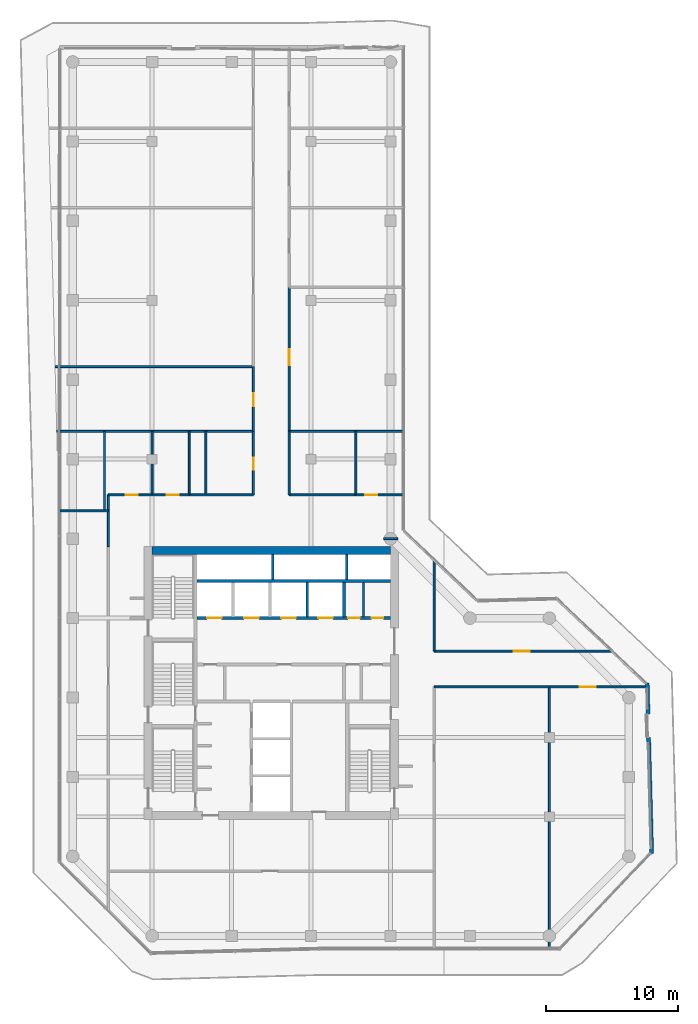
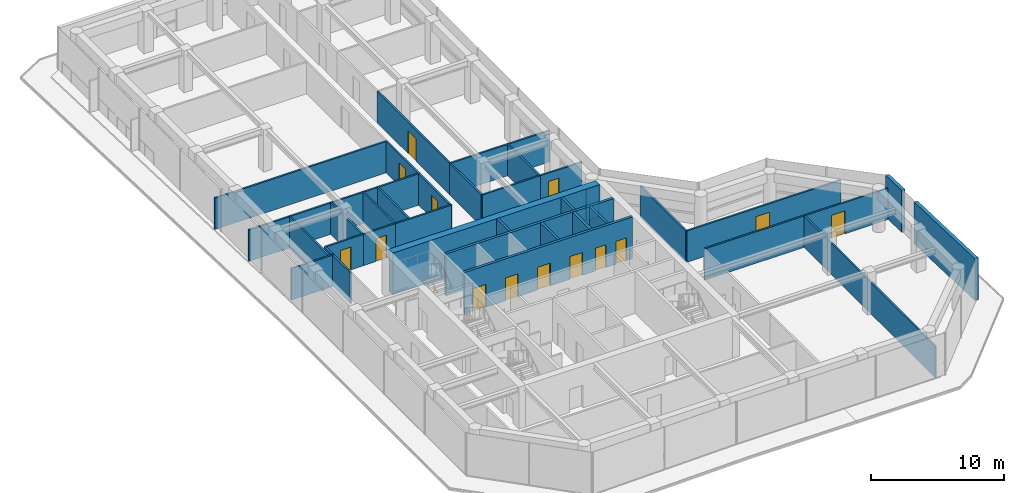
# One storey, part 17 of 20: 35 walls, 14 doors, 14 openings.
"""IFC4 building model written with IfcOpenShell, lengths in metres."""

from ifc_helpers import new_model, si_unit, direction, frame, frame_2d, origin, place, context, subcontext, project, spatial, rectangle, extrude, material, layer, layer_set, type_object, element, fill, save


model = new_model("IFC4")

# Units and contexts
model_context = context("Model", 3, precision=1e-05, world=origin(), true_north=direction((0.0, 1.0)))
body_context = subcontext(model_context, "Body", "Model", "MODEL_VIEW")
ifc_project = project(units=[si_unit("LENGTHUNIT", "METRE"), si_unit("AREAUNIT", "SQUARE_METRE"), si_unit("VOLUMEUNIT", "CUBIC_METRE"), si_unit("PLANEANGLEUNIT", "RADIAN"), si_unit("MASSUNIT", "GRAM", prefix="KILO")], contexts=[model_context])

# Site, building, storey
site_placement = place(None, origin())
site = spatial("IfcSite", under=ifc_project, at=site_placement, CompositionType="ELEMENT")
building_placement = place(site_placement, origin())
building = spatial("IfcBuilding", under=site, at=building_placement, Name="Welwitschia Terrace Campus", CompositionType="ELEMENT")
storey_placement = place(building_placement, frame((0.0, 0.0, 176.0)))
storey = spatial("IfcBuildingStorey", under=building, at=storey_placement, Name="L39", CompositionType="ELEMENT", Elevation=176.0)

# Wall
ifc_material_1 = material(Name="Concrete C32/40", Category="concrete")
ifc_layer_1 = layer(ifc_material_1, 0.175048828125)
ifc_layer_set_1 = layer_set([ifc_layer_1], Name="Concrete C32/40")
wall_type_1 = type_object("IfcWallType", Name="Core partition 175 Concrete C32/40", PredefinedType="PARTITIONING", material=ifc_layer_set_1)
wall_1_placement = place(storey_placement, frame((21.9599609375, 20.10009765625, 0.0), z_axis=(0.0, 0.0, 1.0), x_axis=(0.0, 1.0, 0.0)))
element("IfcWall", 1, at=wall_1_placement, inside=storey, type_object=wall_type_1, Name="Core partition", PredefinedType="PARTITIONING", context=body_context, shape_type="SweptSolid", body=[
    extrude(rectangle(XDim=2.599853515625, YDim=0.175048828125, at=frame_2d((1.2998046875, 0.0))), origin(), (0.0, 0.0, 1.0), 3.85009765625),
])

# Wall, openings, doors
ifc_material_2 = material(Name="Concrete C32/40", Category="concrete")
ifc_layer_2 = layer(ifc_material_2, 0.22509765625)
ifc_layer_set_2 = layer_set([ifc_layer_2], Name="Concrete C32/40")
wall_type_2 = type_object("IfcWallType", Name="Core partition 225 Concrete C32/40", PredefinedType="PARTITIONING", material=ifc_layer_set_2)
wall_2_placement = place(storey_placement, frame((24.0, 20.0, 0.0), z_axis=(0.0, 0.0, 1.0), x_axis=(-1.0, 0.0, 0.0)))
wall_2 = element("IfcWall", 2, at=wall_2_placement, inside=storey, type_object=wall_type_2, Name="Shaft wall", PredefinedType="PARTITIONING", context=body_context, shape_type="SweptSolid", body=[
    extrude(rectangle(XDim=14.60009765625, YDim=0.22509765625, at=frame_2d((7.300048828125, 0.0))), origin(), (0.0, 0.0, 1.0), 3.85009765625),
])
opening_1_placement = place(wall_2_placement, frame((12.75, 0.0, 0.0)))
opening_1 = element("IfcOpeningElement", 3, at=opening_1_placement, cuts=wall_2, Name="Opening LD", PredefinedType="OPENING", context=body_context, shape_type="SweptSolid", body=[
    extrude(rectangle(XDim=1.10009765625, YDim=2.10009765625, at=frame_2d((0.550048828125, 1.050048828125))), frame((0.0, 0.12255859375, 0.0), z_axis=(0.0, -1.0, 0.0), x_axis=(1.0, 0.0, 0.0)), (0.0, 0.0, 1.0), 0.2451171875),
])
opening_2_placement = place(wall_2_placement, frame((9.949951171875, 0.0, 0.0)))
opening_2 = element("IfcOpeningElement", 4, at=opening_2_placement, cuts=wall_2, Name="Opening LD", PredefinedType="OPENING", context=body_context, shape_type="SweptSolid", body=[
    extrude(rectangle(XDim=1.10009765625, YDim=2.10009765625, at=frame_2d((0.550048828125, 1.050048828125))), frame((0.0, 0.12255859375, 0.0), z_axis=(0.0, -1.0, 0.0), x_axis=(1.0, 0.0, 0.0)), (0.0, 0.0, 1.0), 0.2451171875),
])
opening_3_placement = place(wall_2_placement, frame((7.14990234375, 0.0, 0.0)))
opening_3 = element("IfcOpeningElement", 5, at=opening_3_placement, cuts=wall_2, Name="Opening LD", PredefinedType="OPENING", context=body_context, shape_type="SweptSolid", body=[
    extrude(rectangle(XDim=1.10009765625, YDim=2.10009765625, at=frame_2d((0.550048828125, 1.050048828125))), frame((0.0, 0.12255859375, 0.0), z_axis=(0.0, -1.0, 0.0), x_axis=(1.0, 0.0, 0.0)), (0.0, 0.0, 1.0), 0.2451171875),
])
opening_4_placement = place(wall_2_placement, frame((4.35009765625, 0.0, 0.0)))
opening_4 = element("IfcOpeningElement", 6, at=opening_4_placement, cuts=wall_2, Name="Opening LD", PredefinedType="OPENING", context=body_context, shape_type="SweptSolid", body=[
    extrude(rectangle(XDim=1.10009765625, YDim=2.10009765625, at=frame_2d((0.550048828125, 1.050048828125))), frame((0.0, 0.12255859375, 0.0), z_axis=(0.0, -1.0, 0.0), x_axis=(1.0, 0.0, 0.0)), (0.0, 0.0, 1.0), 0.2451171875),
])
opening_5_placement = place(wall_2_placement, frame((2.3076171875, 0.0, 0.0)))
opening_5 = element("IfcOpeningElement", 7, at=opening_5_placement, cuts=wall_2, Name="Opening DR09", PredefinedType="OPENING", context=body_context, shape_type="SweptSolid", body=[
    extrude(rectangle(XDim=0.89990234375, YDim=2.10009765625, at=frame_2d((0.449951171875, 1.050048828125))), frame((0.0, 0.12255859375, 0.0), z_axis=(0.0, -1.0, 0.0), x_axis=(1.0, 0.0, 0.0)), (0.0, 0.0, 1.0), 0.2451171875),
])
opening_6_placement = place(wall_2_placement, frame((0.532470703125, 0.0, 0.0)))
opening_6 = element("IfcOpeningElement", 8, at=opening_6_placement, cuts=wall_2, Name="Opening DR09", PredefinedType="OPENING", context=body_context, shape_type="SweptSolid", body=[
    extrude(rectangle(XDim=0.89990234375, YDim=2.10009765625, at=frame_2d((0.449951171875, 1.050048828125))), frame((0.0, 0.12255859375, 0.0), z_axis=(0.0, -1.0, 0.0), x_axis=(1.0, 0.0, 0.0)), (0.0, 0.0, 1.0), 0.2451171875),
])
ifc_material_3 = material(Name="Steel S275", Category="steel")
door_type_1 = type_object("IfcDoorType", Name="Core door DR09", OperationType="SINGLE_SWING_LEFT", PredefinedType="DOOR", material=ifc_material_3)
door_1_placement = place(opening_5_placement, origin())
door_1 = element("IfcDoor", 9, at=door_1_placement, inside=storey, type_object=door_type_1, Name="Door EH1-D", OperationType="SINGLE_SWING_LEFT", OverallHeight=2.10009765625, OverallWidth=0.89990234375, PredefinedType="DOOR", context=body_context, shape_type="SweptSolid", body=[
    extrude(rectangle(XDim=0.89990234375, YDim=2.10009765625, at=frame_2d((0.449951171875, 1.050048828125))), frame((0.0, 0.02490234375, 0.0), z_axis=(0.0, -1.0, 0.0), x_axis=(1.0, 0.0, 0.0)), (0.0, 0.0, 1.0), 0.050048828125),
])
fill(opening_5, door_1)
door_2_placement = place(opening_6_placement, origin())
door_2 = element("IfcDoor", 10, at=door_2_placement, inside=storey, type_object=door_type_1, Name="Door EH2-D", OperationType="SINGLE_SWING_LEFT", OverallHeight=2.10009765625, OverallWidth=0.89990234375, PredefinedType="DOOR", context=body_context, shape_type="SweptSolid", body=[
    extrude(rectangle(XDim=0.89990234375, YDim=2.10009765625, at=frame_2d((0.449951171875, 1.050048828125))), frame((0.0, 0.02490234375, 0.0), z_axis=(0.0, -1.0, 0.0), x_axis=(1.0, 0.0, 0.0)), (0.0, 0.0, 1.0), 0.050048828125),
])
fill(opening_6, door_2)
ifc_material_4 = material(Name="Stainless steel 304", Category="steel")
door_type_2 = type_object("IfcDoorType", Name="Lift landing door", OperationType="DOUBLE_DOOR_SLIDING", PredefinedType="DOOR", material=ifc_material_4)
door_3_placement = place(opening_1_placement, origin())
door_3 = element("IfcDoor", 11, at=door_3_placement, inside=storey, type_object=door_type_2, Name="Landing door HR1", OperationType="DOUBLE_DOOR_SLIDING", OverallHeight=2.10009765625, OverallWidth=1.10009765625, PredefinedType="DOOR", context=body_context, shape_type="SweptSolid", body=[
    extrude(rectangle(XDim=1.10009765625, YDim=2.10009765625, at=frame_2d((0.550048828125, 1.050048828125))), frame((0.0, 0.02490234375, 0.0), z_axis=(0.0, -1.0, 0.0), x_axis=(1.0, 0.0, 0.0)), (0.0, 0.0, 1.0), 0.050048828125),
])
fill(opening_1, door_3)
door_4_placement = place(opening_2_placement, origin())
door_4 = element("IfcDoor", 12, at=door_4_placement, inside=storey, type_object=door_type_2, Name="Landing door HR2", OperationType="DOUBLE_DOOR_SLIDING", OverallHeight=2.10009765625, OverallWidth=1.10009765625, PredefinedType="DOOR", context=body_context, shape_type="SweptSolid", body=[
    extrude(rectangle(XDim=1.10009765625, YDim=2.10009765625, at=frame_2d((0.550048828125, 1.050048828125))), frame((0.0, 0.02490234375, 0.0), z_axis=(0.0, -1.0, 0.0), x_axis=(1.0, 0.0, 0.0)), (0.0, 0.0, 1.0), 0.050048828125),
])
fill(opening_2, door_4)
door_5_placement = place(opening_3_placement, origin())
door_5 = element("IfcDoor", 13, at=door_5_placement, inside=storey, type_object=door_type_2, Name="Landing door HR3", OperationType="DOUBLE_DOOR_SLIDING", OverallHeight=2.10009765625, OverallWidth=1.10009765625, PredefinedType="DOOR", context=body_context, shape_type="SweptSolid", body=[
    extrude(rectangle(XDim=1.10009765625, YDim=2.10009765625, at=frame_2d((0.550048828125, 1.050048828125))), frame((0.0, 0.02490234375, 0.0), z_axis=(0.0, -1.0, 0.0), x_axis=(1.0, 0.0, 0.0)), (0.0, 0.0, 1.0), 0.050048828125),
])
fill(opening_3, door_5)
door_6_placement = place(opening_4_placement, origin())
door_6 = element("IfcDoor", 14, at=door_6_placement, inside=storey, type_object=door_type_2, Name="Landing door HR4", OperationType="DOUBLE_DOOR_SLIDING", OverallHeight=2.10009765625, OverallWidth=1.10009765625, PredefinedType="DOOR", context=body_context, shape_type="SweptSolid", body=[
    extrude(rectangle(XDim=1.10009765625, YDim=2.10009765625, at=frame_2d((0.550048828125, 1.050048828125))), frame((0.0, 0.02490234375, 0.0), z_axis=(0.0, -1.0, 0.0), x_axis=(1.0, 0.0, 0.0)), (0.0, 0.0, 1.0), 0.050048828125),
])
fill(opening_4, door_6)

# Walls
wall_3_placement = place(storey_placement, frame((9.39990234375, 22.800048828125, 0.0), z_axis=(0.0, 0.0, 1.0), x_axis=(1.0, 0.0, 0.0)))
element("IfcWall", 15, at=wall_3_placement, inside=storey, type_object=wall_type_2, Name="Shaft wall", PredefinedType="PARTITIONING", context=body_context, shape_type="SweptSolid", body=[
    extrude(rectangle(XDim=14.60009765625, YDim=0.22509765625, at=frame_2d((7.300048828125, 0.0))), origin(), (0.0, 0.0, 1.0), 3.85009765625),
])
wall_4_placement = place(storey_placement, frame((20.5, 20.10009765625, 0.0), z_axis=(0.0, 0.0, 1.0), x_axis=(0.0, 1.0, 0.0)))
element("IfcWall", 16, at=wall_4_placement, inside=storey, type_object=wall_type_2, Name="Shaft wall", PredefinedType="PARTITIONING", context=body_context, shape_type="SweptSolid", body=[
    extrude(rectangle(XDim=2.599853515625, YDim=0.22509765625, at=frame_2d((1.2998046875, 0.0))), origin(), (0.0, 0.0, 1.0), 3.85009765625),
])
ifc_material_5 = material(Name="Concrete C50/60", Category="concrete")
ifc_layer_3 = layer(ifc_material_5, 0.199951171875)
ifc_layer_set_3 = layer_set([ifc_layer_3], Name="Concrete C50/60")
wall_type_3 = type_object("IfcWallType", Name="Core wall 200 Concrete C50/60", PredefinedType="SHEAR", material=ifc_layer_set_3)
for number, where, z_axis, x_axis, name in (
    (17, (15.10009765625, 22.89990234375, 0.0), (0.0, 0.0, 1.0), (0.0, 1.0, 0.0), "Core wall"),
    (18, (20.699951171875, 22.89990234375, 0.0), (0.0, 0.0, 1.0), (0.0, 1.0, 0.0), "Core wall"),
):
    element("IfcWall", number, at=place(storey_placement, frame(where, z_axis=z_axis, x_axis=x_axis)), inside=storey, type_object=wall_type_3, Name=name, PredefinedType="SHEAR", context=body_context, shape_type="SweptSolid", body=[
        extrude(rectangle(XDim=1.900146484375, YDim=0.199951171875, at=frame_2d((0.9501953125, 0.0))), origin(), (0.0, 0.0, 1.0), 3.85009765625),
    ])
ifc_material_6 = material(Name="Concrete C60/75", Category="concrete")
ifc_layer_4 = layer(ifc_material_6, 0.60009765625)
ifc_layer_set_4 = layer_set([ifc_layer_4], Name="Concrete C60/75")
wall_type_4 = type_object("IfcWallType", Name="Core wall 600 Concrete C60/75", PredefinedType="SHEAR", material=ifc_layer_set_4)
wall_5_placement = place(storey_placement, frame((6.0, 25.10009765625, 0.0), z_axis=(0.0, 0.0, 1.0), x_axis=(1.0, 0.0, 0.0)))
element("IfcWall", 19, at=wall_5_placement, inside=storey, type_object=wall_type_4, Name="Core outer wall", PredefinedType="SHEAR", context=body_context, shape_type="SweptSolid", body=[
    extrude(rectangle(XDim=18.0, YDim=0.60009765625, at=frame_2d((9.0, 0.0))), origin(), (0.0, 0.0, 1.0), 3.85009765625),
])
ifc_material_7 = material(Name="Gypsum board on steel studs", Category="steel")
ifc_layer_5 = layer(ifc_material_7, 0.14990234375)
ifc_layer_set_5 = layer_set([ifc_layer_5], Name="Gypsum board on steel studs")
wall_type_5 = type_object("IfcWallType", Name="Corridor partition 150 EI 30", PredefinedType="PARTITIONING", material=ifc_layer_set_5)
wall_6_placement = place(storey_placement, frame((-1.320068359375, 39.0, 0.0), z_axis=(0.0, 0.0, 1.0), x_axis=(1.0, 0.0, 0.0)))
element("IfcWall", 20, at=wall_6_placement, inside=storey, type_object=wall_type_5, Name="Partition", PredefinedType="PARTITIONING", context=body_context, shape_type="SweptSolid", body=[
    extrude(rectangle(XDim=14.969970703125, YDim=0.14990234375, at=frame_2d((7.48486328125, 0.0))), origin(), (0.0, 0.0, 1.0), 2.8798828125),
])
wall_7_placement = place(storey_placement, frame((-1.18994140625, 34.10009765625, 0.0), z_axis=(0.0, 0.0, 1.0), x_axis=(1.0, 0.0, 0.0)))
element("IfcWall", 21, at=wall_7_placement, inside=storey, type_object=wall_type_5, Name="Partition", PredefinedType="PARTITIONING", context=body_context, shape_type="SweptSolid", body=[
    extrude(rectangle(XDim=14.83984375, YDim=0.14990234375, at=frame_2d((7.419921875, 0.0))), origin(), (0.0, 0.0, 1.0), 2.8798828125),
])
wall_8_placement = place(storey_placement, frame((-0.96875, 28.10009765625, 0.0), z_axis=(0.0, 0.0, 1.0), x_axis=(1.0, 0.0, 0.0)))
element("IfcWall", 22, at=wall_8_placement, inside=storey, type_object=wall_type_5, Name="Partition", PredefinedType="PARTITIONING", context=body_context, shape_type="SweptSolid", body=[
    extrude(rectangle(XDim=3.668701171875, YDim=0.14990234375, at=frame_2d((1.83447265625, 0.0))), origin(), (0.0, 0.0, 1.0), 2.8798828125),
])
wall_9_placement = place(storey_placement, frame((2.39990234375, 28.10009765625, 0.0), z_axis=(0.0, 0.0, 1.0), x_axis=(0.0, 1.0, 0.0)))
element("IfcWall", 23, at=wall_9_placement, inside=storey, type_object=wall_type_5, Name="Partition", PredefinedType="PARTITIONING", context=body_context, shape_type="SweptSolid", body=[
    extrude(rectangle(XDim=6.0, YDim=0.14990234375, at=frame_2d((3.0, 0.0))), origin(), (0.0, 0.0, 1.0), 2.8798828125),
])
wall_10_placement = place(storey_placement, frame((2.699951171875, 25.39990234375, 0.0), z_axis=(0.0, 0.0, 1.0), x_axis=(0.0, 1.0, 0.0)))
element("IfcWall", 24, at=wall_10_placement, inside=storey, type_object=wall_type_5, Name="Partition", PredefinedType="PARTITIONING", context=body_context, shape_type="SweptSolid", body=[
    extrude(rectangle(XDim=3.900146484375, YDim=0.14990234375, at=frame_2d((1.9501953125, 0.0))), origin(), (0.0, 0.0, 1.0), 2.8798828125),
])

# Wall, opening, door
wall_11_placement = place(storey_placement, frame((2.699951171875, 29.300048828125, 0.0), z_axis=(0.0, 0.0, 1.0), x_axis=(1.0, 0.0, 0.0)))
wall_11 = element("IfcWall", 25, at=wall_11_placement, inside=storey, type_object=wall_type_5, Name="Partition", PredefinedType="PARTITIONING", context=body_context, shape_type="SweptSolid", body=[
    extrude(rectangle(XDim=3.300048828125, YDim=0.14990234375, at=frame_2d((1.64990234375, 0.0))), origin(), (0.0, 0.0, 1.0), 2.8798828125),
])
opening_7_placement = place(wall_11_placement, frame((1.300048828125, 0.0, 0.0)))
opening_7 = element("IfcOpeningElement", 26, at=opening_7_placement, cuts=wall_11, Name="Opening DI09", PredefinedType="OPENING", context=body_context, shape_type="SweptSolid", body=[
    extrude(rectangle(XDim=0.89990234375, YDim=2.10009765625, at=frame_2d((0.449951171875, 1.050048828125))), frame((0.0, 0.0849609375, 0.0), z_axis=(0.0, -1.0, 0.0), x_axis=(1.0, 0.0, 0.0)), (0.0, 0.0, 1.0), 0.169921875),
])
ifc_material_8 = material(Name="Timber veneered door", Category="wood")
door_type_3 = type_object("IfcDoorType", Name="Interior door DI09", OperationType="NOTDEFINED", PredefinedType="DOOR", material=ifc_material_8)
door_7_placement = place(opening_7_placement, origin())
door_7 = element("IfcDoor", 27, at=door_7_placement, inside=storey, type_object=door_type_3, Name="Door L39 776", OperationType="SINGLE_SWING_LEFT", OverallHeight=2.10009765625, OverallWidth=0.89990234375, PredefinedType="DOOR", context=body_context, shape_type="SweptSolid", body=[
    extrude(rectangle(XDim=0.89990234375, YDim=2.10009765625, at=frame_2d((0.449951171875, 1.050048828125))), frame((0.0, 0.02490234375, 0.0), z_axis=(0.0, -1.0, 0.0), x_axis=(1.0, 0.0, 0.0)), (0.0, 0.0, 1.0), 0.050048828125),
])
fill(opening_7, door_7)

# Wall
wall_12_placement = place(storey_placement, frame((6.0, 29.300048828125, 0.0), z_axis=(0.0, 0.0, 1.0), x_axis=(0.0, 1.0, 0.0)))
element("IfcWall", 28, at=wall_12_placement, inside=storey, type_object=wall_type_5, Name="Partition", PredefinedType="PARTITIONING", context=body_context, shape_type="SweptSolid", body=[
    extrude(rectangle(XDim=4.800048828125, YDim=0.14990234375, at=frame_2d((2.39990234375, 0.0))), origin(), (0.0, 0.0, 1.0), 2.8798828125),
])

# Wall, opening, door
wall_13_placement = place(storey_placement, frame((6.0, 29.300048828125, 0.0), z_axis=(0.0, 0.0, 1.0), x_axis=(1.0, 0.0, 0.0)))
wall_13 = element("IfcWall", 29, at=wall_13_placement, inside=storey, type_object=wall_type_5, Name="Partition", PredefinedType="PARTITIONING", context=body_context, shape_type="SweptSolid", body=[
    extrude(rectangle(XDim=2.800048828125, YDim=0.14990234375, at=frame_2d((1.39990234375, 0.0))), origin(), (0.0, 0.0, 1.0), 2.8798828125),
])
opening_8_placement = place(wall_13_placement, frame((1.10009765625, 0.0, 0.0)))
opening_8 = element("IfcOpeningElement", 30, at=opening_8_placement, cuts=wall_13, Name="Opening DI09", PredefinedType="OPENING", context=body_context, shape_type="SweptSolid", body=[
    extrude(rectangle(XDim=0.89990234375, YDim=2.10009765625, at=frame_2d((0.449951171875, 1.050048828125))), frame((0.0, 0.0849609375, 0.0), z_axis=(0.0, -1.0, 0.0), x_axis=(1.0, 0.0, 0.0)), (0.0, 0.0, 1.0), 0.169921875),
])
door_8_placement = place(opening_8_placement, origin())
door_8 = element("IfcDoor", 31, at=door_8_placement, inside=storey, type_object=door_type_3, Name="Door L39 777", OperationType="SINGLE_SWING_RIGHT", OverallHeight=2.10009765625, OverallWidth=0.89990234375, PredefinedType="DOOR", context=body_context, shape_type="SweptSolid", body=[
    extrude(rectangle(XDim=0.89990234375, YDim=2.10009765625, at=frame_2d((0.449951171875, 1.050048828125))), frame((0.0, 0.02490234375, 0.0), z_axis=(0.0, -1.0, 0.0), x_axis=(1.0, 0.0, 0.0)), (0.0, 0.0, 1.0), 0.050048828125),
])
fill(opening_8, door_8)

# Walls
wall_14_placement = place(storey_placement, frame((8.800048828125, 29.300048828125, 0.0), z_axis=(0.0, 0.0, 1.0), x_axis=(0.0, 1.0, 0.0)))
element("IfcWall", 32, at=wall_14_placement, inside=storey, type_object=wall_type_5, Name="Partition", PredefinedType="PARTITIONING", context=body_context, shape_type="SweptSolid", body=[
    extrude(rectangle(XDim=4.800048828125, YDim=0.14990234375, at=frame_2d((2.39990234375, 0.0))), origin(), (0.0, 0.0, 1.0), 2.8798828125),
])
wall_15_placement = place(storey_placement, frame((8.800048828125, 29.300048828125, 0.0), z_axis=(0.0, 0.0, 1.0), x_axis=(1.0, 0.0, 0.0)))
element("IfcWall", 33, at=wall_15_placement, inside=storey, type_object=wall_type_5, Name="Partition", PredefinedType="PARTITIONING", context=body_context, shape_type="SweptSolid", body=[
    extrude(rectangle(XDim=4.849853515625, YDim=0.14990234375, at=frame_2d((2.4248046875, 0.0))), origin(), (0.0, 0.0, 1.0), 2.8798828125),
])
wall_16_placement = place(storey_placement, frame((10.050048828125, 29.300048828125, 0.0), z_axis=(0.0, 0.0, 1.0), x_axis=(0.0, 1.0, 0.0)))
element("IfcWall", 34, at=wall_16_placement, inside=storey, type_object=wall_type_5, Name="Partition", PredefinedType="PARTITIONING", context=body_context, shape_type="SweptSolid", body=[
    extrude(rectangle(XDim=4.800048828125, YDim=0.14990234375, at=frame_2d((2.39990234375, 0.0))), origin(), (0.0, 0.0, 1.0), 2.8798828125),
])

# Wall, opening, door
wall_17_placement = place(storey_placement, frame((13.64990234375, 29.300048828125, 0.0), z_axis=(0.0, 0.0, 1.0), x_axis=(0.0, 1.0, 0.0)))
wall_17 = element("IfcWall", 35, at=wall_17_placement, inside=storey, type_object=wall_type_5, Name="Partition", PredefinedType="PARTITIONING", context=body_context, shape_type="SweptSolid", body=[
    extrude(rectangle(XDim=4.800048828125, YDim=0.14990234375, at=frame_2d((2.39990234375, 0.0))), origin(), (0.0, 0.0, 1.0), 2.8798828125),
])
opening_9_placement = place(wall_17_placement, frame((1.89990234375, 0.0, 0.0)))
opening_9 = element("IfcOpeningElement", 36, at=opening_9_placement, cuts=wall_17, Name="Opening DI09", PredefinedType="OPENING", context=body_context, shape_type="SweptSolid", body=[
    extrude(rectangle(XDim=0.89990234375, YDim=2.10009765625, at=frame_2d((0.449951171875, 1.050048828125))), frame((0.0, 0.0849609375, 0.0), z_axis=(0.0, -1.0, 0.0), x_axis=(1.0, 0.0, 0.0)), (0.0, 0.0, 1.0), 0.169921875),
])
door_9_placement = place(opening_9_placement, origin())
door_9 = element("IfcDoor", 37, at=door_9_placement, inside=storey, type_object=door_type_3, Name="Door L39 778", OperationType="SINGLE_SWING_LEFT", OverallHeight=2.10009765625, OverallWidth=0.89990234375, PredefinedType="DOOR", context=body_context, shape_type="SweptSolid", body=[
    extrude(rectangle(XDim=0.89990234375, YDim=2.10009765625, at=frame_2d((0.449951171875, 1.050048828125))), frame((0.0, 0.02490234375, 0.0), z_axis=(0.0, -1.0, 0.0), x_axis=(1.0, 0.0, 0.0)), (0.0, 0.0, 1.0), 0.050048828125),
])
fill(opening_9, door_9)

wall_18_placement = place(storey_placement, frame((13.64990234375, 34.10009765625, 0.0), z_axis=(0.0, 0.0, 1.0), x_axis=(0.0, 1.0, 0.0)))
wall_18 = element("IfcWall", 38, at=wall_18_placement, inside=storey, type_object=wall_type_5, Name="Partition", PredefinedType="PARTITIONING", context=body_context, shape_type="SweptSolid", body=[
    extrude(rectangle(XDim=4.89990234375, YDim=0.14990234375, at=frame_2d((2.449951171875, 0.0))), origin(), (0.0, 0.0, 1.0), 2.8798828125),
])
opening_10_placement = place(wall_18_placement, frame((1.89990234375, 0.0, 0.0)))
opening_10 = element("IfcOpeningElement", 39, at=opening_10_placement, cuts=wall_18, Name="Opening DI10", PredefinedType="OPENING", context=body_context, shape_type="SweptSolid", body=[
    extrude(rectangle(XDim=1.0, YDim=2.10009765625, at=frame_2d((0.5, 1.050048828125))), frame((0.0, 0.0849609375, 0.0), z_axis=(0.0, -1.0, 0.0), x_axis=(1.0, 0.0, 0.0)), (0.0, 0.0, 1.0), 0.169921875),
])
ifc_material_9 = material(Name="Timber veneered door", Category="wood")
door_type_4 = type_object("IfcDoorType", Name="Interior door DI10", OperationType="NOTDEFINED", PredefinedType="DOOR", material=ifc_material_9)
door_10_placement = place(opening_10_placement, origin())
door_10 = element("IfcDoor", 40, at=door_10_placement, inside=storey, type_object=door_type_4, Name="Door L39 779", OperationType="SINGLE_SWING_RIGHT", OverallHeight=2.10009765625, OverallWidth=1.0, PredefinedType="DOOR", context=body_context, shape_type="SweptSolid", body=[
    extrude(rectangle(XDim=1.0, YDim=2.10009765625, at=frame_2d((0.5, 1.050048828125))), frame((0.0, 0.02490234375, 0.0), z_axis=(0.0, -1.0, 0.0), x_axis=(1.0, 0.0, 0.0)), (0.0, 0.0, 1.0), 0.050048828125),
])
fill(opening_10, door_10)

# Walls
wall_19_placement = place(storey_placement, frame((16.35009765625, 29.300048828125, 0.0), z_axis=(0.0, 0.0, 1.0), x_axis=(0.0, 1.0, 0.0)))
element("IfcWall", 41, at=wall_19_placement, inside=storey, type_object=wall_type_5, Name="Partition", PredefinedType="PARTITIONING", context=body_context, shape_type="SweptSolid", body=[
    extrude(rectangle(XDim=4.800048828125, YDim=0.14990234375, at=frame_2d((2.39990234375, 0.0))), origin(), (0.0, 0.0, 1.0), 2.8798828125),
])
wall_20_placement = place(storey_placement, frame((16.35009765625, 29.300048828125, 0.0), z_axis=(0.0, 0.0, 1.0), x_axis=(1.0, 0.0, 0.0)))
element("IfcWall", 42, at=wall_20_placement, inside=storey, type_object=wall_type_5, Name="Partition", PredefinedType="PARTITIONING", context=body_context, shape_type="SweptSolid", body=[
    extrude(rectangle(XDim=5.02978515625, YDim=0.14990234375, at=frame_2d((2.514892578125, 0.0))), origin(), (0.0, 0.0, 1.0), 2.8798828125),
])

# Wall, opening, door
wall_21_placement = place(storey_placement, frame((16.35009765625, 34.10009765625, 0.0), z_axis=(0.0, 0.0, 1.0), x_axis=(0.0, 1.0, 0.0)))
wall_21 = element("IfcWall", 43, at=wall_21_placement, inside=storey, type_object=wall_type_5, Name="Partition", PredefinedType="PARTITIONING", context=body_context, shape_type="SweptSolid", body=[
    extrude(rectangle(XDim=10.89990234375, YDim=0.14990234375, at=frame_2d((5.449951171875, 0.0))), origin(), (0.0, 0.0, 1.0), 2.8798828125),
])
opening_11_placement = place(wall_21_placement, frame((5.0, 0.0, 0.0)))
opening_11 = element("IfcOpeningElement", 44, at=opening_11_placement, cuts=wall_21, Name="Opening DI12", PredefinedType="OPENING", context=body_context, shape_type="SweptSolid", body=[
    extrude(rectangle(XDim=1.199951171875, YDim=2.10009765625, at=frame_2d((0.60009765625, 1.050048828125))), frame((0.0, 0.0849609375, 0.0), z_axis=(0.0, -1.0, 0.0), x_axis=(1.0, 0.0, 0.0)), (0.0, 0.0, 1.0), 0.169921875),
])
ifc_material_10 = material(Name="Timber veneered door", Category="wood")
door_type_5 = type_object("IfcDoorType", Name="Interior door DI12", OperationType="NOTDEFINED", PredefinedType="DOOR", material=ifc_material_10)
door_11_placement = place(opening_11_placement, origin())
door_11 = element("IfcDoor", 45, at=door_11_placement, inside=storey, type_object=door_type_5, Name="Door L39 783", OperationType="SINGLE_SWING_RIGHT", OverallHeight=2.10009765625, OverallWidth=1.199951171875, PredefinedType="DOOR", context=body_context, shape_type="SweptSolid", body=[
    extrude(rectangle(XDim=1.199951171875, YDim=2.10009765625, at=frame_2d((0.60009765625, 1.050048828125))), frame((0.0, 0.02490234375, 0.0), z_axis=(0.0, -1.0, 0.0), x_axis=(1.0, 0.0, 0.0)), (0.0, 0.0, 1.0), 0.050048828125),
])
fill(opening_11, door_11)

# Walls
wall_22_placement = place(storey_placement, frame((16.35009765625, 34.10009765625, 0.0), z_axis=(0.0, 0.0, 1.0), x_axis=(1.0, 0.0, 0.0)))
element("IfcWall", 46, at=wall_22_placement, inside=storey, type_object=wall_type_5, Name="Partition", PredefinedType="PARTITIONING", context=body_context, shape_type="SweptSolid", body=[
    extrude(rectangle(XDim=8.6298828125, YDim=0.14990234375, at=frame_2d((4.31494140625, 0.0))), origin(), (0.0, 0.0, 1.0), 2.8798828125),
])
wall_23_placement = place(storey_placement, frame((21.3798828125, 29.300048828125, 0.0), z_axis=(0.0, 0.0, 1.0), x_axis=(0.0, 1.0, 0.0)))
element("IfcWall", 47, at=wall_23_placement, inside=storey, type_object=wall_type_5, Name="Partition", PredefinedType="PARTITIONING", context=body_context, shape_type="SweptSolid", body=[
    extrude(rectangle(XDim=4.800048828125, YDim=0.14990234375, at=frame_2d((2.39990234375, 0.0))), origin(), (0.0, 0.0, 1.0), 2.8798828125),
])

# Wall, opening, door
wall_24_placement = place(storey_placement, frame((21.3798828125, 29.300048828125, 0.0), z_axis=(0.0, 0.0, 1.0), x_axis=(1.0, 0.0, 0.0)))
wall_24 = element("IfcWall", 48, at=wall_24_placement, inside=storey, type_object=wall_type_5, Name="Partition", PredefinedType="PARTITIONING", context=body_context, shape_type="SweptSolid", body=[
    extrude(rectangle(XDim=3.60009765625, YDim=0.14990234375, at=frame_2d((1.800048828125, 0.0))), origin(), (0.0, 0.0, 1.0), 2.8798828125),
])
opening_12_placement = place(wall_24_placement, frame((0.699951171875, 0.0, 0.0)))
opening_12 = element("IfcOpeningElement", 49, at=opening_12_placement, cuts=wall_24, Name="Opening DI09", PredefinedType="OPENING", context=body_context, shape_type="SweptSolid", body=[
    extrude(rectangle(XDim=0.89990234375, YDim=2.10009765625, at=frame_2d((0.449951171875, 1.050048828125))), frame((0.0, 0.0849609375, 0.0), z_axis=(0.0, -1.0, 0.0), x_axis=(1.0, 0.0, 0.0)), (0.0, 0.0, 1.0), 0.169921875),
])
door_12_placement = place(opening_12_placement, origin())
door_12 = element("IfcDoor", 50, at=door_12_placement, inside=storey, type_object=door_type_3, Name="Door L39 787", OperationType="SINGLE_SWING_RIGHT", OverallHeight=2.10009765625, OverallWidth=0.89990234375, PredefinedType="DOOR", context=body_context, shape_type="SweptSolid", body=[
    extrude(rectangle(XDim=0.89990234375, YDim=2.10009765625, at=frame_2d((0.449951171875, 1.050048828125))), frame((0.0, 0.02490234375, 0.0), z_axis=(0.0, -1.0, 0.0), x_axis=(1.0, 0.0, 0.0)), (0.0, 0.0, 1.0), 0.050048828125),
])
fill(opening_12, door_12)

# Walls
wall_25_placement = place(storey_placement, frame((23.47998046875, 26.0, 0.0), z_axis=(0.0, 0.0, 1.0), x_axis=(1.0, 0.0, 0.0)))
element("IfcWall", 51, at=wall_25_placement, inside=storey, type_object=wall_type_5, Name="Partition", PredefinedType="PARTITIONING", context=body_context, shape_type="SweptSolid", body=[
    extrude(rectangle(XDim=1.050048828125, YDim=0.14990234375, at=frame_2d((0.52490234375, 0.0))), origin(), (0.0, 0.0, 1.0), 2.8798828125),
])
wall_26_placement = place(storey_placement, frame((27.300048828125, 14.800048828125, 0.0), z_axis=(0.0, 0.0, 1.0), x_axis=(1.0, 0.0, 0.0)))
element("IfcWall", 52, at=wall_26_placement, inside=storey, type_object=wall_type_5, Name="Partition", PredefinedType="PARTITIONING", context=body_context, shape_type="SweptSolid", body=[
    extrude(rectangle(XDim=8.699951171875, YDim=0.14990234375, at=frame_2d((4.35009765625, 0.0))), origin(), (0.0, 0.0, 1.0), 2.8798828125),
])
wall_27_placement = place(storey_placement, frame((27.300048828125, 17.5, 0.0), z_axis=(0.0, 0.0, 1.0), x_axis=(0.0, 1.0, 0.0)))
element("IfcWall", 53, at=wall_27_placement, inside=storey, type_object=wall_type_5, Name="Partition", PredefinedType="PARTITIONING", context=body_context, shape_type="SweptSolid", body=[
    extrude(rectangle(XDim=6.8798828125, YDim=0.14990234375, at=frame_2d((3.43994140625, 0.0))), origin(), (0.0, 0.0, 1.0), 2.8798828125),
])
wall_28_placement = place(storey_placement, frame((36.0, -4.97998046875, 0.0), z_axis=(0.0, 0.0, 1.0), x_axis=(0.0, 1.0, 0.0)))
element("IfcWall", 54, at=wall_28_placement, inside=storey, type_object=wall_type_5, Name="Partition", PredefinedType="PARTITIONING", context=body_context, shape_type="SweptSolid", body=[
    extrude(rectangle(XDim=19.780029296875, YDim=0.14990234375, at=frame_2d((9.89013671875, 0.0))), origin(), (0.0, 0.0, 1.0), 2.8798828125),
])

# Wall, opening, door
wall_29_placement = place(storey_placement, frame((36.0, 14.800048828125, 0.0), z_axis=(0.0, 0.0, 1.0), x_axis=(1.0, 0.0, 0.0)))
wall_29 = element("IfcWall", 55, at=wall_29_placement, inside=storey, type_object=wall_type_5, Name="Partition", PredefinedType="PARTITIONING", context=body_context, shape_type="SweptSolid", body=[
    extrude(rectangle(XDim=7.403564453125, YDim=0.14990234375, at=frame_2d((3.70166015625, 0.0))), origin(), (0.0, 0.0, 1.0), 2.8798828125),
])
opening_13_placement = place(wall_29_placement, frame((2.300048828125, 0.0, 0.0)))
opening_13 = element("IfcOpeningElement", 56, at=opening_13_placement, cuts=wall_29, Name="Opening DI12", PredefinedType="OPENING", context=body_context, shape_type="SweptSolid", body=[
    extrude(rectangle(XDim=1.199951171875, YDim=2.10009765625, at=frame_2d((0.60009765625, 1.050048828125))), frame((0.0, 0.0849609375, 0.0), z_axis=(0.0, -1.0, 0.0), x_axis=(1.0, 0.0, 0.0)), (0.0, 0.0, 1.0), 0.169921875),
])
door_13_placement = place(opening_13_placement, origin())
door_13 = element("IfcDoor", 57, at=door_13_placement, inside=storey, type_object=door_type_5, Name="Door L39 790", OperationType="SINGLE_SWING_LEFT", OverallHeight=2.10009765625, OverallWidth=1.199951171875, PredefinedType="DOOR", context=body_context, shape_type="SweptSolid", body=[
    extrude(rectangle(XDim=1.199951171875, YDim=2.10009765625, at=frame_2d((0.60009765625, 1.050048828125))), frame((0.0, 0.02490234375, 0.0), z_axis=(0.0, -1.0, 0.0), x_axis=(1.0, 0.0, 0.0)), (0.0, 0.0, 1.0), 0.050048828125),
])
fill(opening_13, door_13)

wall_30_placement = place(storey_placement, frame((40.7099609375, 17.5, 0.0), z_axis=(0.0, 0.0, 1.0), x_axis=(-1.0, 0.0, 0.0)))
wall_30 = element("IfcWall", 58, at=wall_30_placement, inside=storey, type_object=wall_type_5, Name="Partition", PredefinedType="PARTITIONING", context=body_context, shape_type="SweptSolid", body=[
    extrude(rectangle(XDim=13.409912109375, YDim=0.14990234375, at=frame_2d((6.705078125, 0.0))), origin(), (0.0, 0.0, 1.0), 2.8798828125),
])
opening_14_placement = place(wall_30_placement, frame((6.199951171875, 0.0, 0.0)))
opening_14 = element("IfcOpeningElement", 59, at=opening_14_placement, cuts=wall_30, Name="Opening DI12", PredefinedType="OPENING", context=body_context, shape_type="SweptSolid", body=[
    extrude(rectangle(XDim=1.199951171875, YDim=2.10009765625, at=frame_2d((0.60009765625, 1.050048828125))), frame((0.0, 0.0849609375, 0.0), z_axis=(0.0, -1.0, 0.0), x_axis=(1.0, 0.0, 0.0)), (0.0, 0.0, 1.0), 0.169921875),
])
door_14_placement = place(opening_14_placement, origin())
door_14 = element("IfcDoor", 60, at=door_14_placement, inside=storey, type_object=door_type_5, Name="Door L39 791", OperationType="SINGLE_SWING_RIGHT", OverallHeight=2.10009765625, OverallWidth=1.199951171875, PredefinedType="DOOR", context=body_context, shape_type="SweptSolid", body=[
    extrude(rectangle(XDim=1.199951171875, YDim=2.10009765625, at=frame_2d((0.60009765625, 1.050048828125))), frame((0.0, 0.02490234375, 0.0), z_axis=(0.0, -1.0, 0.0), x_axis=(1.0, 0.0, 0.0)), (0.0, 0.0, 1.0), 0.050048828125),
])
fill(opening_14, door_14)

# Walls
ifc_material_11 = material(Name="Concrete C40/50", Category="concrete")
ifc_layer_6 = layer(ifc_material_11, 0.300048828125)
ifc_layer_set_6 = layer_set([ifc_layer_6], Name="Concrete C40/50")
wall_type_6 = type_object("IfcWallType", Name="Mass wall 300", PredefinedType="SOLIDWALL", material=ifc_layer_set_6)
wall_31_placement = place(storey_placement, frame((43.722412109375, 2.23291015625, 0.0), z_axis=(0.0, 0.0, 1.0), x_axis=(-0.026202368137, 0.99965665901, 0.0)))
element("IfcWall", 61, at=wall_31_placement, inside=storey, type_object=wall_type_6, Name="Mass wall L39.5.0", PredefinedType="SOLIDWALL", context=body_context, shape_type="SweptSolid", body=[
    extrude(rectangle(XDim=8.73974609375, YDim=0.300048828125, at=frame_2d((4.369873046875, 0.0))), origin(), (0.0, 0.0, 1.0), 3.85009765625),
])
wall_32_placement = place(storey_placement, frame((43.4462890625, 12.76904296875, 0.0), z_axis=(0.0, 0.0, 1.0), x_axis=(-0.026065246512, 0.999660243745, 0.0)))
element("IfcWall", 62, at=wall_32_placement, inside=storey, type_object=wall_type_6, Name="Mass wall L39.5.1", PredefinedType="SOLIDWALL", context=body_context, shape_type="SweptSolid", body=[
    extrude(rectangle(XDim=2.3134765625, YDim=0.300048828125, at=frame_2d((1.15673828125, 0.0))), origin(), (0.0, 0.0, 1.0), 3.85009765625),
])
ifc_material_12 = material(Name="Concrete C32/40", Category="concrete")
ifc_layer_7 = layer(ifc_material_12, 0.199951171875)
ifc_layer_set_7 = layer_set([ifc_layer_7], Name="Concrete C32/40")
wall_type_7 = type_object("IfcWallType", Name="Shaft wall 200 Concrete C32/40", PredefinedType="SOLIDWALL", material=ifc_layer_set_7)
wall_33_placement = place(storey_placement, frame((17.699951171875, 20.10009765625, 0.0), z_axis=(0.0, 0.0, 1.0), x_axis=(0.0, 1.0, 0.0)))
element("IfcWall", 63, at=wall_33_placement, inside=storey, type_object=wall_type_7, Name="Shaft wall", PredefinedType="SOLIDWALL", context=body_context, shape_type="SweptSolid", body=[
    extrude(rectangle(XDim=2.599853515625, YDim=0.199951171875, at=frame_2d((1.2998046875, 0.0))), origin(), (0.0, 0.0, 1.0), 3.85009765625),
])

save(model, "model.ifc")
